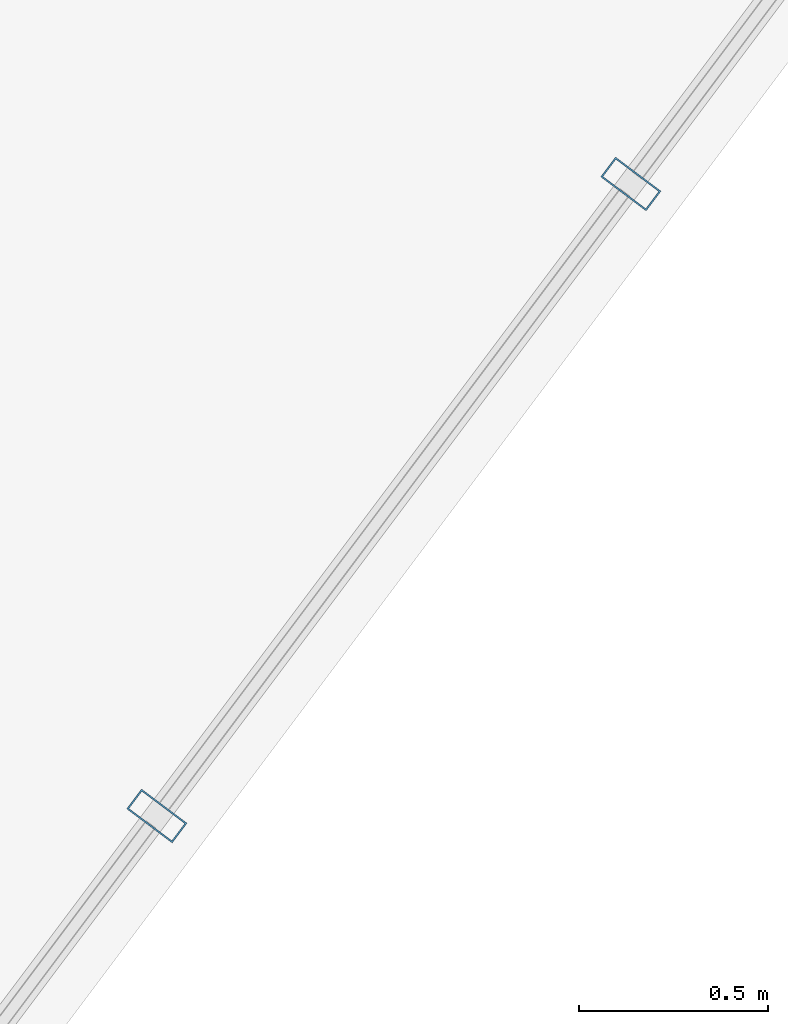
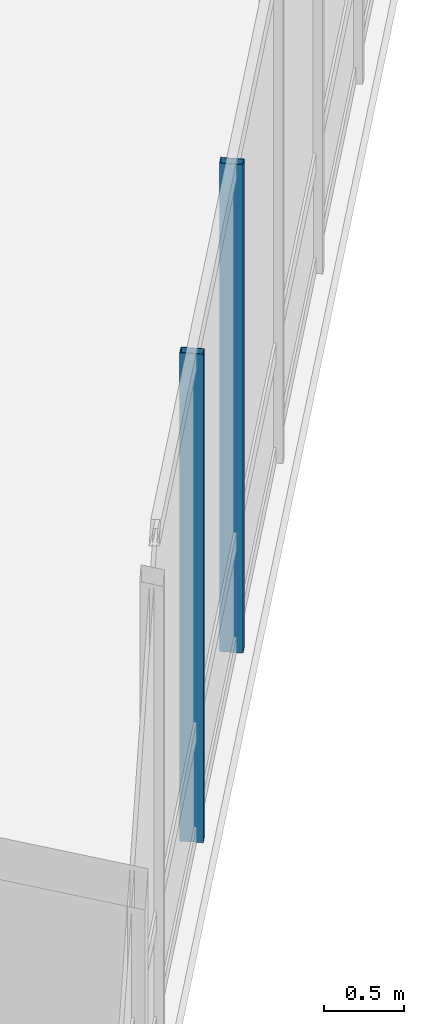
# One storey, part 8 of 29: 2 members, 1 element without a shape of its own.
"""IFC4 building model written with IfcOpenShell, lengths in metres."""

from ifc_helpers import new_model, si_unit, direction, frame, origin, origin_2d, place, context, subcontext, project, spatial, hollow_rectangle, extrude, material, layer, layer_set, material_profile, profile_set, type_object, element, aggregate, save


model = new_model("IFC4")

# Units and contexts
model_context = context("Model", 3, precision=1e-05, world=origin(), true_north=direction((0.0, 1.0)))
body_context = subcontext(model_context, "Body", "Model", "MODEL_VIEW")
ifc_project = project(units=[si_unit("LENGTHUNIT", "METRE"), si_unit("AREAUNIT", "SQUARE_METRE"), si_unit("VOLUMEUNIT", "CUBIC_METRE"), si_unit("PLANEANGLEUNIT", "RADIAN"), si_unit("MASSUNIT", "GRAM", prefix="KILO")], contexts=[model_context])

# Site, building, storey
site_placement = place(None, origin())
site = spatial("IfcSite", under=ifc_project, at=site_placement, CompositionType="ELEMENT")
building_placement = place(site_placement, origin())
building = spatial("IfcBuilding", under=site, at=building_placement, Name="Hatsunagi Terrace Concourse", CompositionType="ELEMENT")
storey_placement = place(building_placement, frame((0.0, 0.0, 277.949951171875)))
storey = spatial("IfcBuildingStorey", under=building, at=storey_placement, Name="L73", CompositionType="ELEMENT", Elevation=277.949951171875)

# Curtain wall, members
ifc_material_1 = material(Name="Anodised Aluminium Alloy 6063-T5", Category="aluminium")
ifc_layer = layer(ifc_material_1, 0.199951171875)
ifc_layer_set = layer_set([ifc_layer], Name="CrownWintergarden_CW06")
curtain_wall_type = type_object("IfcCurtainWallType", Name="CrownWintergarden_CW06", PredefinedType="NOTDEFINED", material=ifc_layer_set)
curtain_wall_placement = place(storey_placement, origin())
curtain_wall = element("IfcCurtainWall", 1, at=curtain_wall_placement, inside=storey, type_object=curtain_wall_type, Name="Unitised Curtain Wall CW-06 CW-L73-03", PredefinedType="NOTDEFINED")
ifc_material_2 = material(Name="Anodised Aluminium Alloy 6063-T5", Category="aluminium")
ifc_material_profile = material_profile(ifc_material_2, hollow_rectangle(XDim=0.06494140625, YDim=0.14990234375, WallThickness=0.00390625, at=origin_2d()), Name="ALU-MUL-150x65x4")
ifc_profile_set = profile_set([ifc_material_profile], Name="Anodised Aluminium Alloy 6063-T5")
member_type = type_object("IfcMemberType", Name="CurtainWallMullion_Crown_150x65", PredefinedType="MULLION", material=ifc_profile_set)
member_1_placement = place(storey_placement, frame((47.22802734375, 23.00390625, 0.0), z_axis=(0.0, 0.0, 1.0), x_axis=(-0.599969314634, -0.800023013105, 0.0)))
member_1 = element("IfcMember", 2, at=member_1_placement, type_object=member_type, Name="Curtain Wall Mullion MUL-03", PredefinedType="MULLION", context=body_context, shape_type="SweptSolid", body=[
    extrude(hollow_rectangle(XDim=0.06494140625, YDim=0.14990234375, WallThickness=0.00390625, at=origin_2d()), origin(), (0.0, 0.0, 1.0), 3.739990234375),
])
member_2_placement = place(storey_placement, frame((45.97509765625, 21.3330078125, 0.0), z_axis=(0.0, 0.0, 1.0), x_axis=(-0.599969314634, -0.800023013105, 0.0)))
member_2 = element("IfcMember", 3, at=member_2_placement, type_object=member_type, Name="Curtain Wall Mullion MUL-03", PredefinedType="MULLION", context=body_context, shape_type="SweptSolid", body=[
    extrude(hollow_rectangle(XDim=0.06494140625, YDim=0.14990234375, WallThickness=0.00390625, at=origin_2d()), origin(), (0.0, 0.0, 1.0), 3.739990234375),
])
aggregate(curtain_wall, [member_1, member_2])

save(model, "model.ifc")
